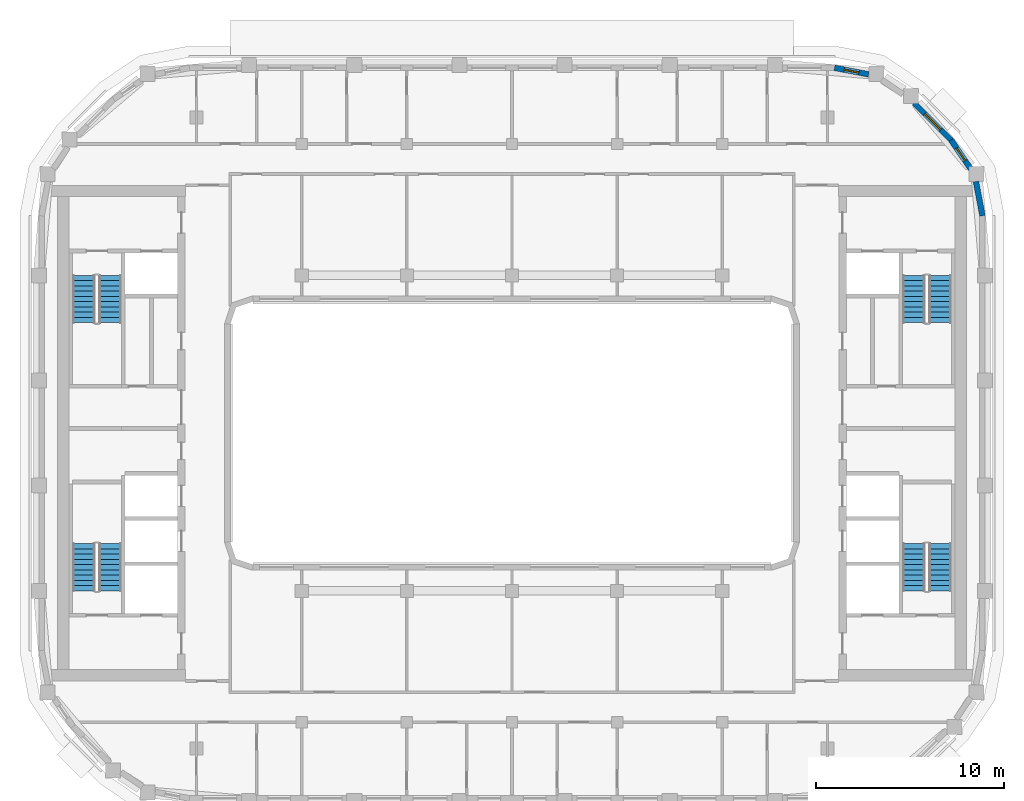
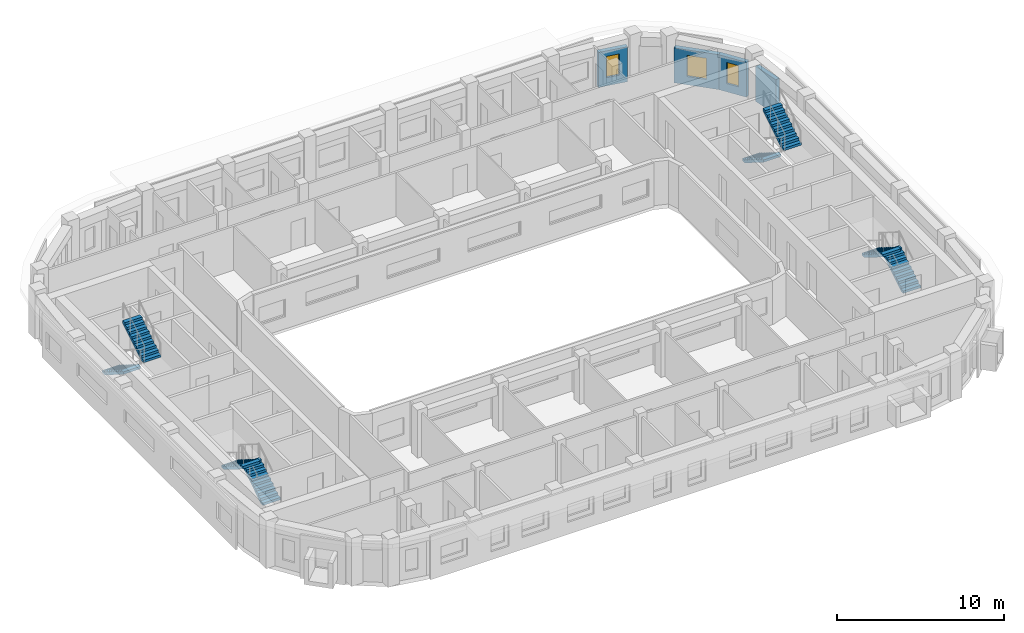
# One storey, part 8 of 15: 8 stair flights, 4 walls, 3 windows, 3 openings, 4 elements without a shape of their own.
"""IFC4 building model written with IfcOpenShell, lengths in metres."""

from ifc_helpers import new_model, si_unit, direction, frame, frame_2d, origin, place, context, subcontext, project, spatial, polyline, rectangle, outline, extrude, material, layer, layer_set, type_object, element, fill, aggregate, save


model = new_model("IFC4")

# Units and contexts
model_context = context("Model", 3, precision=1e-05, world=origin(), true_north=direction((0.0, 1.0)))
body_context = subcontext(model_context, "Body", "Model", "MODEL_VIEW")
ifc_project = project(units=[si_unit("LENGTHUNIT", "METRE"), si_unit("AREAUNIT", "SQUARE_METRE"), si_unit("VOLUMEUNIT", "CUBIC_METRE"), si_unit("PLANEANGLEUNIT", "RADIAN"), si_unit("MASSUNIT", "GRAM", prefix="KILO")], contexts=[model_context])

# Site, building, storey
site_placement = place(None, origin())
site = spatial("IfcSite", under=ifc_project, at=site_placement, CompositionType="ELEMENT")
building_placement = place(site_placement, origin())
building = spatial("IfcBuilding", under=site, at=building_placement, Name="Kiln Ring Residences", CompositionType="ELEMENT")
storey_placement = place(building_placement, frame((0.0, 0.0, 248.699951171875)))
storey = spatial("IfcBuildingStorey", under=building, at=storey_placement, Name="L64", CompositionType="ELEMENT", Elevation=248.699951171875)

# Wall
ifc_material_1 = material(Name="Brick masonry, dark clay brick", Category="masonry")
ifc_layer = layer(ifc_material_1, 0.300048828125)
ifc_layer_set = layer_set([ifc_layer], Name="EW-300 BRICK WALL")
wall_type = type_object("IfcWallType", Name="EW-300 BRICK WALL", PredefinedType="SOLIDWALL", material=ifc_layer_set)
wall_1_placement = place(storey_placement, frame((25.052734375, 11.57177734375, 0.0), z_axis=(0.0, 0.0, 1.0), x_axis=(-0.187408222942, 0.982282117303, 0.0)))
element("IfcWall", 1, at=wall_1_placement, inside=storey, type_object=wall_type, Name="Facade wall L64 21", PredefinedType="SOLIDWALL", context=body_context, shape_type="SweptSolid", body=[
    extrude(rectangle(XDim=1.8564453125, YDim=0.300048828125, at=frame_2d((0.92822265625, 0.0))), origin(), (0.0, 0.0, 1.0), 2.550048828125),
])

# Wall, opening, window
wall_2_placement = place(storey_placement, frame((24.422119140625, 14.07763671875, 0.0), z_axis=(0.0, 0.0, 1.0), x_axis=(-0.562054549384, 0.827100165347, 0.0)))
wall_2 = element("IfcWall", 2, at=wall_2_placement, inside=storey, type_object=wall_type, Name="Facade wall L64 22", PredefinedType="SOLIDWALL", context=body_context, shape_type="SweptSolid", body=[
    extrude(rectangle(XDim=1.85595703125, YDim=0.300048828125, at=frame_2d((0.927978515625, 0.0))), origin(), (0.0, 0.0, 1.0), 2.550048828125),
])
opening_1_placement = place(wall_2_placement, frame((0.528076171875, 0.0, 0.60009765625)))
opening_1 = element("IfcOpeningElement", 3, at=opening_1_placement, cuts=wall_2, Name="Opening W5", PredefinedType="OPENING", context=body_context, shape_type="SweptSolid", body=[
    extrude(rectangle(XDim=0.800048828125, YDim=1.550048828125, at=frame_2d((0.39990234375, 0.77490234375))), frame((0.0, 0.159912109375, 0.0), z_axis=(0.0, -1.0, 0.0), x_axis=(1.0, 0.0, 0.0)), (0.0, 0.0, 1.0), 0.320068359375),
])
ifc_material_2 = material(Name="Aluminium frame with double glazing", Category="aluminium")
window_type_1 = type_object("IfcWindowType", Name="WINDOW 800 x 1550", PartitioningType="SINGLE_PANEL", PredefinedType="WINDOW", material=ifc_material_2)
window_1_placement = place(opening_1_placement, origin())
window_1 = element("IfcWindow", 4, at=window_1_placement, inside=storey, type_object=window_type_1, Name="Window L64 18", OverallHeight=1.550048828125, OverallWidth=0.800048828125, PartitioningType="SINGLE_PANEL", PredefinedType="WINDOW", context=body_context, shape_type="SweptSolid", body=[
    extrude(rectangle(XDim=0.800048828125, YDim=1.550048828125, at=frame_2d((0.39990234375, 0.77490234375))), frame((0.0, 0.030029296875, 0.0), z_axis=(0.0, -1.0, 0.0), x_axis=(1.0, 0.0, 0.0)), (0.0, 0.0, 1.0), 0.06005859375),
])
fill(opening_1, window_1)

wall_3_placement = place(storey_placement, frame((23.39697265625, 15.591064453125, 0.0), z_axis=(0.0, 0.0, 1.0), x_axis=(-0.707150377276, 0.707063182409, 0.0)))
wall_3 = element("IfcWall", 5, at=wall_3_placement, inside=storey, type_object=wall_type, Name="Facade wall L64 23", PredefinedType="SOLIDWALL", context=body_context, shape_type="SweptSolid", body=[
    extrude(rectangle(XDim=2.800048828125, YDim=0.300048828125, at=frame_2d((1.39990234375, 0.0))), origin(), (0.0, 0.0, 1.0), 2.550048828125),
])
opening_2_placement = place(wall_3_placement, frame((0.800048828125, 0.0, 0.60009765625)))
opening_2 = element("IfcOpeningElement", 6, at=opening_2_placement, cuts=wall_3, Name="Opening W1", PredefinedType="OPENING", context=body_context, shape_type="SweptSolid", body=[
    extrude(rectangle(XDim=1.199951171875, YDim=1.550048828125, at=frame_2d((0.60009765625, 0.77490234375))), frame((0.0, 0.159912109375, 0.0), z_axis=(0.0, -1.0, 0.0), x_axis=(1.0, 0.0, 0.0)), (0.0, 0.0, 1.0), 0.320068359375),
])
ifc_material_3 = material(Name="Aluminium frame with double glazing", Category="aluminium")
window_type_2 = type_object("IfcWindowType", Name="WINDOW 1200 x 1550", PartitioningType="SINGLE_PANEL", PredefinedType="WINDOW", material=ifc_material_3)
window_2_placement = place(opening_2_placement, origin())
window_2 = element("IfcWindow", 7, at=window_2_placement, inside=storey, type_object=window_type_2, Name="Window L64 19", OverallHeight=1.550048828125, OverallWidth=1.199951171875, PartitioningType="SINGLE_PANEL", PredefinedType="WINDOW", context=body_context, shape_type="SweptSolid", body=[
    extrude(rectangle(XDim=1.199951171875, YDim=1.550048828125, at=frame_2d((0.60009765625, 0.77490234375))), frame((0.0, 0.030029296875, 0.0), z_axis=(0.0, -1.0, 0.0), x_axis=(1.0, 0.0, 0.0)), (0.0, 0.0, 1.0), 0.06005859375),
])
fill(opening_2, window_2)

wall_4_placement = place(storey_placement, frame((18.9951171875, 19.10498046875, 0.0), z_axis=(0.0, 0.0, 1.0), x_axis=(-0.982301706131, 0.187305520826, 0.0)))
wall_4 = element("IfcWall", 8, at=wall_4_placement, inside=storey, type_object=wall_type, Name="Facade wall L64 25", PredefinedType="SOLIDWALL", context=body_context, shape_type="SweptSolid", body=[
    extrude(rectangle(XDim=1.856201171875, YDim=0.300048828125, at=frame_2d((0.92822265625, 0.0))), origin(), (0.0, 0.0, 1.0), 2.550048828125),
])
opening_3_placement = place(wall_4_placement, frame((0.528076171875, 0.0, 0.60009765625)))
opening_3 = element("IfcOpeningElement", 9, at=opening_3_placement, cuts=wall_4, Name="Opening W5", PredefinedType="OPENING", context=body_context, shape_type="SweptSolid", body=[
    extrude(rectangle(XDim=0.800048828125, YDim=1.550048828125, at=frame_2d((0.39990234375, 0.77490234375))), frame((0.0, 0.159912109375, 0.0), z_axis=(0.0, -1.0, 0.0), x_axis=(1.0, 0.0, 0.0)), (0.0, 0.0, 1.0), 0.320068359375),
])
window_3_placement = place(opening_3_placement, origin())
window_3 = element("IfcWindow", 10, at=window_3_placement, inside=storey, type_object=window_type_1, Name="Window L64 20", OverallHeight=1.550048828125, OverallWidth=0.800048828125, PartitioningType="SINGLE_PANEL", PredefinedType="WINDOW", context=body_context, shape_type="SweptSolid", body=[
    extrude(rectangle(XDim=0.800048828125, YDim=1.550048828125, at=frame_2d((0.39990234375, 0.77490234375))), frame((0.0, 0.030029296875, 0.0), z_axis=(0.0, -1.0, 0.0), x_axis=(1.0, 0.0, 0.0)), (0.0, 0.0, 1.0), 0.06005859375),
])
fill(opening_3, window_3)

# Stair, stair flights
ifc_material_4 = material(Name="Concrete C40/50", Category="concrete")
stair_type = type_object("IfcStairType", Name="CORE-STAIR", PredefinedType="HALF_TURN_STAIR", material=ifc_material_4)
placement = place(storey_placement, origin())
stair_1 = element("IfcStair", 11, at=placement, inside=storey, type_object=stair_type, Name="L64 stair W-STN", PredefinedType="HALF_TURN_STAIR")
ifc_material_5 = material(Name="Concrete C40/50", Category="concrete")
stair_flight_type = type_object("IfcStairFlightType", Name="CORE-STAIR-FLIGHT", PredefinedType="STRAIGHT", material=ifc_material_5)
stair_flight_1_placement = place(storey_placement, frame((-22.800048828125, 8.39990234375, 0.0), z_axis=(0.0, 0.0, 1.0), x_axis=(0.0, -1.0, 0.0)))
stair_flight_1 = element("IfcStairFlight", 12, at=stair_flight_1_placement, type_object=stair_flight_type, Name="W-STN flight 1", NumberOfRisers=10, NumberOfTreads=9, PredefinedType="STRAIGHT", RiserHeight=0.175, TreadLength=0.28, context=body_context, shape_type="SweptSolid", body=[
    extrude(outline(polyline([(0.0, 0.0), (0.0, 0.175048828125), (0.280029296875, 0.175048828125), (0.280029296875, 0.35009765625), (0.56005859375, 0.35009765625), (0.56005859375, 0.52490234375), (0.840087890625, 0.52490234375), (0.840087890625, 0.699951171875), (1.1201171875, 0.699951171875), (1.1201171875, 0.875), (1.39990234375, 0.875), (1.39990234375, 1.050048828125), (1.679931640625, 1.050048828125), (1.679931640625, 1.22509765625), (1.9599609375, 1.22509765625), (1.9599609375, 1.39990234375), (2.239990234375, 1.39990234375), (2.239990234375, 1.574951171875), (2.52001953125, 1.574951171875), (2.52001953125, 1.75), (2.52001953125, 1.398193359375), (0.28271484375, 0.0), (0.0, 0.0)])), frame((0.0, 0.60009765625, 0.0), z_axis=(0.0, -1.0, 0.0), x_axis=(1.0, 0.0, 0.0)), (0.0, 0.0, 1.0), 1.199951171875),
])
stair_flight_2_placement = place(storey_placement, frame((-21.39990234375, 5.8798828125, 1.75), z_axis=(0.0, 0.0, 1.0), x_axis=(0.0, 1.0, 0.0)))
stair_flight_2 = element("IfcStairFlight", 13, at=stair_flight_2_placement, type_object=stair_flight_type, Name="W-STN flight 2", NumberOfRisers=10, NumberOfTreads=9, PredefinedType="STRAIGHT", RiserHeight=0.175, TreadLength=0.28, context=body_context, shape_type="SweptSolid", body=[
    extrude(outline(polyline([(0.0, 0.0), (0.0, 0.175048828125), (0.280029296875, 0.175048828125), (0.280029296875, 0.35009765625), (0.56005859375, 0.35009765625), (0.56005859375, 0.52490234375), (0.840087890625, 0.52490234375), (0.840087890625, 0.699951171875), (1.1201171875, 0.699951171875), (1.1201171875, 0.875), (1.39990234375, 0.875), (1.39990234375, 1.050048828125), (1.679931640625, 1.050048828125), (1.679931640625, 1.22509765625), (1.9599609375, 1.22509765625), (1.9599609375, 1.39990234375), (2.239990234375, 1.39990234375), (2.239990234375, 1.574951171875), (2.52001953125, 1.574951171875), (2.52001953125, 1.75), (2.52001953125, 1.398193359375), (0.28271484375, 0.0), (0.0, 0.0)])), frame((0.0, 0.60009765625, 0.0), z_axis=(0.0, -1.0, 0.0), x_axis=(1.0, 0.0, 0.0)), (0.0, 0.0, 1.0), 1.199951171875),
])
aggregate(stair_1, [stair_flight_1, stair_flight_2])

stair_2 = element("IfcStair", 14, at=placement, inside=storey, type_object=stair_type, Name="L64 stair W-STS", PredefinedType="HALF_TURN_STAIR")
stair_flight_3_placement = place(storey_placement, frame((-21.39990234375, -8.39990234375, 0.0), z_axis=(0.0, 0.0, 1.0), x_axis=(0.0, 1.0, 0.0)))
stair_flight_3 = element("IfcStairFlight", 15, at=stair_flight_3_placement, type_object=stair_flight_type, Name="W-STS flight 1", NumberOfRisers=10, NumberOfTreads=9, PredefinedType="STRAIGHT", RiserHeight=0.175, TreadLength=0.28, context=body_context, shape_type="SweptSolid", body=[
    extrude(outline(polyline([(0.0, 0.0), (0.0, 0.175048828125), (0.280029296875, 0.175048828125), (0.280029296875, 0.35009765625), (0.56005859375, 0.35009765625), (0.56005859375, 0.52490234375), (0.840087890625, 0.52490234375), (0.840087890625, 0.699951171875), (1.1201171875, 0.699951171875), (1.1201171875, 0.875), (1.39990234375, 0.875), (1.39990234375, 1.050048828125), (1.679931640625, 1.050048828125), (1.679931640625, 1.22509765625), (1.9599609375, 1.22509765625), (1.9599609375, 1.39990234375), (2.239990234375, 1.39990234375), (2.239990234375, 1.574951171875), (2.52001953125, 1.574951171875), (2.52001953125, 1.75), (2.52001953125, 1.398193359375), (0.28271484375, 0.0), (0.0, 0.0)])), frame((0.0, 0.60009765625, 0.0), z_axis=(0.0, -1.0, 0.0), x_axis=(1.0, 0.0, 0.0)), (0.0, 0.0, 1.0), 1.199951171875),
])
stair_flight_4_placement = place(storey_placement, frame((-22.800048828125, -5.8798828125, 1.75), z_axis=(0.0, 0.0, 1.0), x_axis=(0.0, -1.0, 0.0)))
stair_flight_4 = element("IfcStairFlight", 16, at=stair_flight_4_placement, type_object=stair_flight_type, Name="W-STS flight 2", NumberOfRisers=10, NumberOfTreads=9, PredefinedType="STRAIGHT", RiserHeight=0.175, TreadLength=0.28, context=body_context, shape_type="SweptSolid", body=[
    extrude(outline(polyline([(0.0, 0.0), (0.0, 0.175048828125), (0.280029296875, 0.175048828125), (0.280029296875, 0.35009765625), (0.56005859375, 0.35009765625), (0.56005859375, 0.52490234375), (0.840087890625, 0.52490234375), (0.840087890625, 0.699951171875), (1.1201171875, 0.699951171875), (1.1201171875, 0.875), (1.39990234375, 0.875), (1.39990234375, 1.050048828125), (1.679931640625, 1.050048828125), (1.679931640625, 1.22509765625), (1.9599609375, 1.22509765625), (1.9599609375, 1.39990234375), (2.239990234375, 1.39990234375), (2.239990234375, 1.574951171875), (2.52001953125, 1.574951171875), (2.52001953125, 1.75), (2.52001953125, 1.398193359375), (0.28271484375, 0.0), (0.0, 0.0)])), frame((0.0, 0.60009765625, 0.0), z_axis=(0.0, -1.0, 0.0), x_axis=(1.0, 0.0, 0.0)), (0.0, 0.0, 1.0), 1.199951171875),
])
aggregate(stair_2, [stair_flight_3, stair_flight_4])

stair_3 = element("IfcStair", 17, at=placement, inside=storey, type_object=stair_type, Name="L64 stair E-STN", PredefinedType="HALF_TURN_STAIR")
stair_flight_5_placement = place(storey_placement, frame((21.39990234375, 8.39990234375, 0.0), z_axis=(0.0, 0.0, 1.0), x_axis=(0.0, -1.0, 0.0)))
stair_flight_5 = element("IfcStairFlight", 18, at=stair_flight_5_placement, type_object=stair_flight_type, Name="E-STN flight 1", NumberOfRisers=10, NumberOfTreads=9, PredefinedType="STRAIGHT", RiserHeight=0.175, TreadLength=0.28, context=body_context, shape_type="SweptSolid", body=[
    extrude(outline(polyline([(0.0, 0.0), (0.0, 0.175048828125), (0.280029296875, 0.175048828125), (0.280029296875, 0.35009765625), (0.56005859375, 0.35009765625), (0.56005859375, 0.52490234375), (0.840087890625, 0.52490234375), (0.840087890625, 0.699951171875), (1.1201171875, 0.699951171875), (1.1201171875, 0.875), (1.39990234375, 0.875), (1.39990234375, 1.050048828125), (1.679931640625, 1.050048828125), (1.679931640625, 1.22509765625), (1.9599609375, 1.22509765625), (1.9599609375, 1.39990234375), (2.239990234375, 1.39990234375), (2.239990234375, 1.574951171875), (2.52001953125, 1.574951171875), (2.52001953125, 1.75), (2.52001953125, 1.398193359375), (0.28271484375, 0.0), (0.0, 0.0)])), frame((0.0, 0.60009765625, 0.0), z_axis=(0.0, -1.0, 0.0), x_axis=(1.0, 0.0, 0.0)), (0.0, 0.0, 1.0), 1.199951171875),
])
stair_flight_6_placement = place(storey_placement, frame((22.800048828125, 5.8798828125, 1.75), z_axis=(0.0, 0.0, 1.0), x_axis=(0.0, 1.0, 0.0)))
stair_flight_6 = element("IfcStairFlight", 19, at=stair_flight_6_placement, type_object=stair_flight_type, Name="E-STN flight 2", NumberOfRisers=10, NumberOfTreads=9, PredefinedType="STRAIGHT", RiserHeight=0.175, TreadLength=0.28, context=body_context, shape_type="SweptSolid", body=[
    extrude(outline(polyline([(0.0, 0.0), (0.0, 0.175048828125), (0.280029296875, 0.175048828125), (0.280029296875, 0.35009765625), (0.56005859375, 0.35009765625), (0.56005859375, 0.52490234375), (0.840087890625, 0.52490234375), (0.840087890625, 0.699951171875), (1.1201171875, 0.699951171875), (1.1201171875, 0.875), (1.39990234375, 0.875), (1.39990234375, 1.050048828125), (1.679931640625, 1.050048828125), (1.679931640625, 1.22509765625), (1.9599609375, 1.22509765625), (1.9599609375, 1.39990234375), (2.239990234375, 1.39990234375), (2.239990234375, 1.574951171875), (2.52001953125, 1.574951171875), (2.52001953125, 1.75), (2.52001953125, 1.398193359375), (0.28271484375, 0.0), (0.0, 0.0)])), frame((0.0, 0.60009765625, 0.0), z_axis=(0.0, -1.0, 0.0), x_axis=(1.0, 0.0, 0.0)), (0.0, 0.0, 1.0), 1.199951171875),
])
aggregate(stair_3, [stair_flight_5, stair_flight_6])

stair_4 = element("IfcStair", 20, at=placement, inside=storey, type_object=stair_type, Name="L64 stair E-STS", PredefinedType="HALF_TURN_STAIR")
stair_flight_7_placement = place(storey_placement, frame((22.800048828125, -8.39990234375, 0.0), z_axis=(0.0, 0.0, 1.0), x_axis=(0.0, 1.0, 0.0)))
stair_flight_7 = element("IfcStairFlight", 21, at=stair_flight_7_placement, type_object=stair_flight_type, Name="E-STS flight 1", NumberOfRisers=10, NumberOfTreads=9, PredefinedType="STRAIGHT", RiserHeight=0.175, TreadLength=0.28, context=body_context, shape_type="SweptSolid", body=[
    extrude(outline(polyline([(0.0, 0.0), (0.0, 0.175048828125), (0.280029296875, 0.175048828125), (0.280029296875, 0.35009765625), (0.56005859375, 0.35009765625), (0.56005859375, 0.52490234375), (0.840087890625, 0.52490234375), (0.840087890625, 0.699951171875), (1.1201171875, 0.699951171875), (1.1201171875, 0.875), (1.39990234375, 0.875), (1.39990234375, 1.050048828125), (1.679931640625, 1.050048828125), (1.679931640625, 1.22509765625), (1.9599609375, 1.22509765625), (1.9599609375, 1.39990234375), (2.239990234375, 1.39990234375), (2.239990234375, 1.574951171875), (2.52001953125, 1.574951171875), (2.52001953125, 1.75), (2.52001953125, 1.398193359375), (0.28271484375, 0.0), (0.0, 0.0)])), frame((0.0, 0.60009765625, 0.0), z_axis=(0.0, -1.0, 0.0), x_axis=(1.0, 0.0, 0.0)), (0.0, 0.0, 1.0), 1.199951171875),
])
stair_flight_8_placement = place(storey_placement, frame((21.39990234375, -5.8798828125, 1.75), z_axis=(0.0, 0.0, 1.0), x_axis=(0.0, -1.0, 0.0)))
stair_flight_8 = element("IfcStairFlight", 22, at=stair_flight_8_placement, type_object=stair_flight_type, Name="E-STS flight 2", NumberOfRisers=10, NumberOfTreads=9, PredefinedType="STRAIGHT", RiserHeight=0.175, TreadLength=0.28, context=body_context, shape_type="SweptSolid", body=[
    extrude(outline(polyline([(0.0, 0.0), (0.0, 0.175048828125), (0.280029296875, 0.175048828125), (0.280029296875, 0.35009765625), (0.56005859375, 0.35009765625), (0.56005859375, 0.52490234375), (0.840087890625, 0.52490234375), (0.840087890625, 0.699951171875), (1.1201171875, 0.699951171875), (1.1201171875, 0.875), (1.39990234375, 0.875), (1.39990234375, 1.050048828125), (1.679931640625, 1.050048828125), (1.679931640625, 1.22509765625), (1.9599609375, 1.22509765625), (1.9599609375, 1.39990234375), (2.239990234375, 1.39990234375), (2.239990234375, 1.574951171875), (2.52001953125, 1.574951171875), (2.52001953125, 1.75), (2.52001953125, 1.398193359375), (0.28271484375, 0.0), (0.0, 0.0)])), frame((0.0, 0.60009765625, 0.0), z_axis=(0.0, -1.0, 0.0), x_axis=(1.0, 0.0, 0.0)), (0.0, 0.0, 1.0), 1.199951171875),
])
aggregate(stair_4, [stair_flight_7, stair_flight_8])

save(model, "model.ifc")
